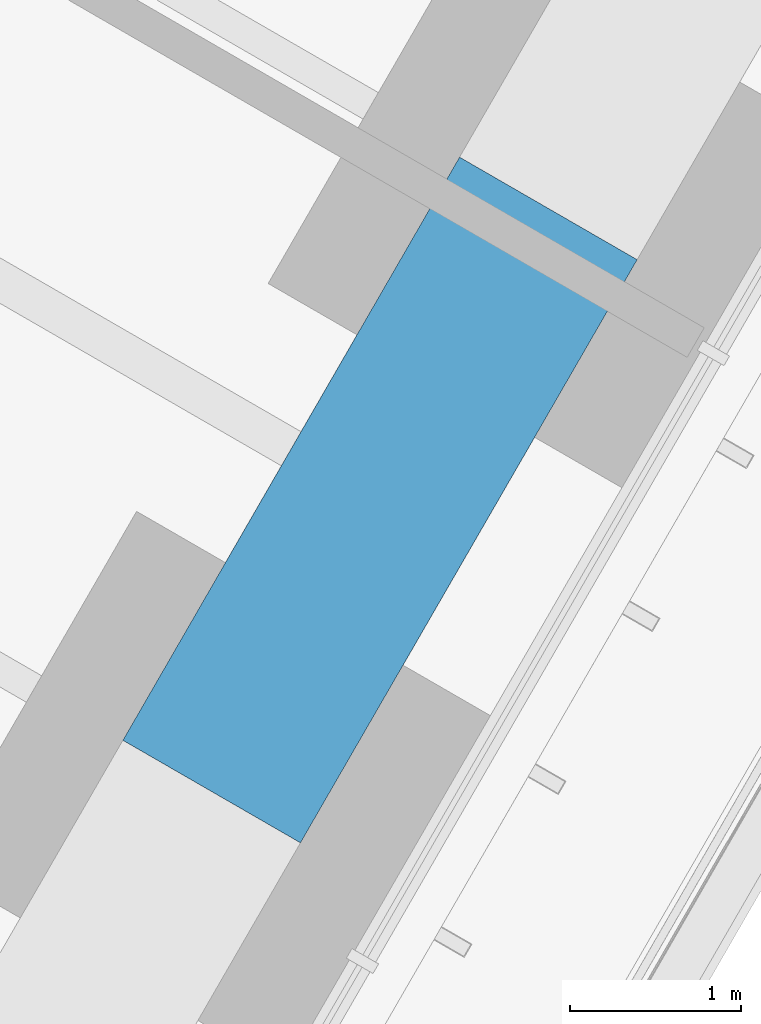
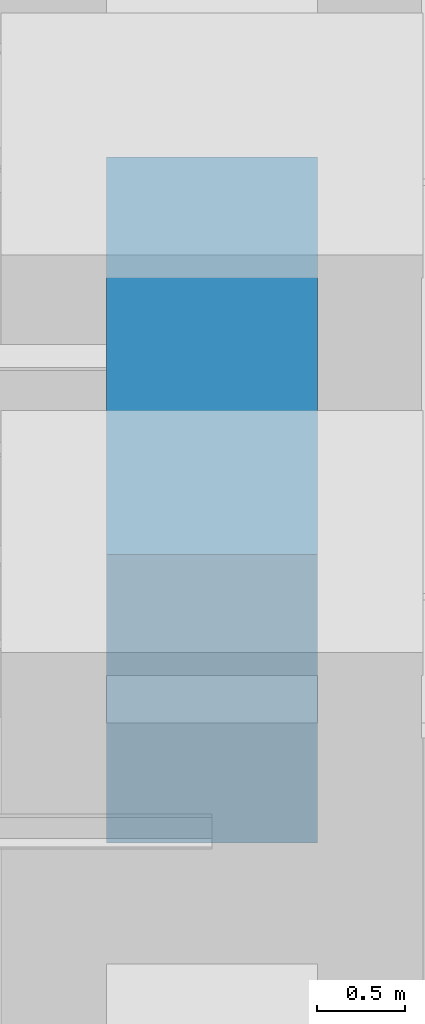
# One storey, part 82 of 238: 1 beam.
"""IFC4 building model written with IfcOpenShell, lengths in metres."""

from ifc_helpers import new_model, si_unit, direction, frame, origin, origin_2d, place, context, subcontext, project, spatial, rectangle, extrude, material, material_profile, profile_set, type_object, element, save


model = new_model("IFC4")

# Units and contexts
model_context = context("Model", 3, precision=1e-05, world=origin(), true_north=direction((0.0, 1.0)))
body_context = subcontext(model_context, "Body", "Model", "MODEL_VIEW")
ifc_project = project(units=[si_unit("LENGTHUNIT", "METRE"), si_unit("AREAUNIT", "SQUARE_METRE"), si_unit("VOLUMEUNIT", "CUBIC_METRE"), si_unit("PLANEANGLEUNIT", "RADIAN"), si_unit("MASSUNIT", "GRAM", prefix="KILO")], contexts=[model_context])

# Site, building, storey
site_placement = place(None, origin())
site = spatial("IfcSite", under=ifc_project, at=site_placement, CompositionType="ELEMENT")
building_placement = place(site_placement, origin())
building = spatial("IfcBuilding", under=site, at=building_placement, Name="Sandreach Pilgrim Tower", CompositionType="ELEMENT")
storey_placement = place(building_placement, frame((0.0, 0.0, 96.800048828125)))
storey = spatial("IfcBuildingStorey", under=building, at=storey_placement, Name="L23", CompositionType="ELEMENT", Elevation=96.800048828125)

# Beam
ifc_material = material(Name="Concrete 10000 psi", Category="concrete")
ifc_material_profile = material_profile(ifc_material, rectangle(XDim=1.199951171875, YDim=2.0, at=origin_2d()), Name="RC1200X2000")
ifc_profile_set = profile_set([ifc_material_profile], Name="Concrete 10000 psi")
beam_type = type_object("IfcBeamType", Name="Spandrel beam RC1200X2000", PredefinedType="SPANDREL", material=ifc_profile_set)
beam_placement = place(storey_placement, frame((15.43408203125, -15.735107421875, 2.639892578125), z_axis=(-0.49999779889, -0.866026674592, 0.0), x_axis=(0.866026674592, -0.49999779889, 0.0)))
element("IfcBeam", 1, at=beam_placement, inside=storey, type_object=beam_type, Name="BM L23 SP19", PredefinedType="SPANDREL", context=body_context, shape_type="SweptSolid", body=[
    extrude(rectangle(XDim=1.199951171875, YDim=2.0, at=origin_2d()), origin(), (0.0, 0.0, 1.0), 3.93994140625),
])

save(model, "model.ifc")
